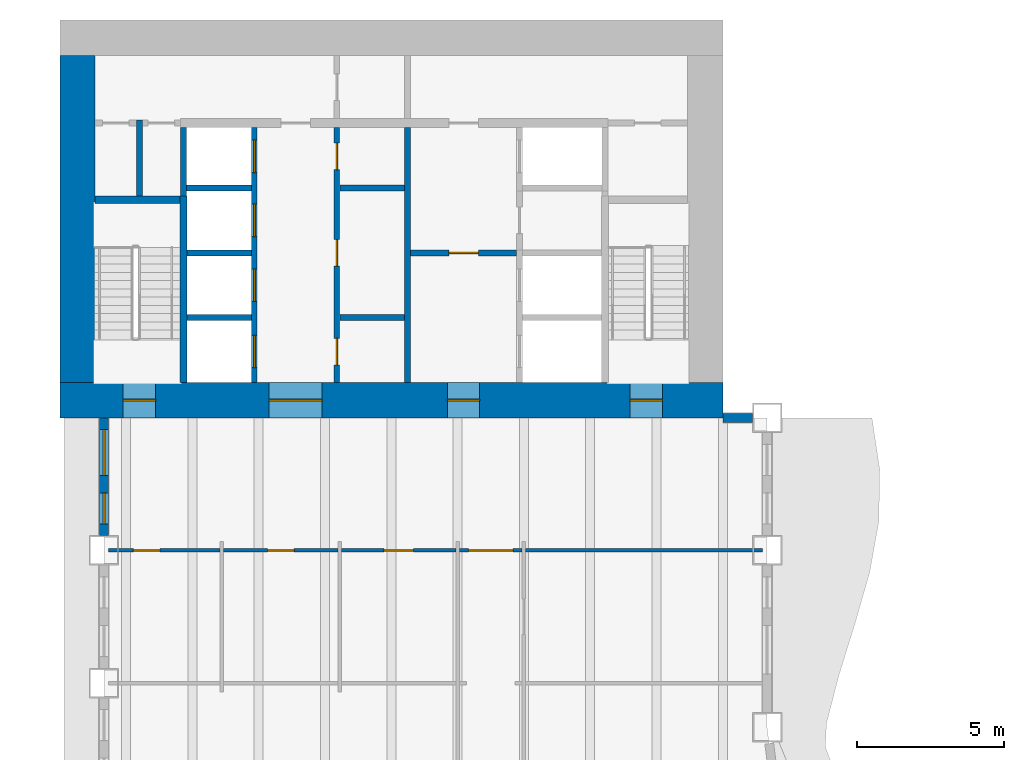
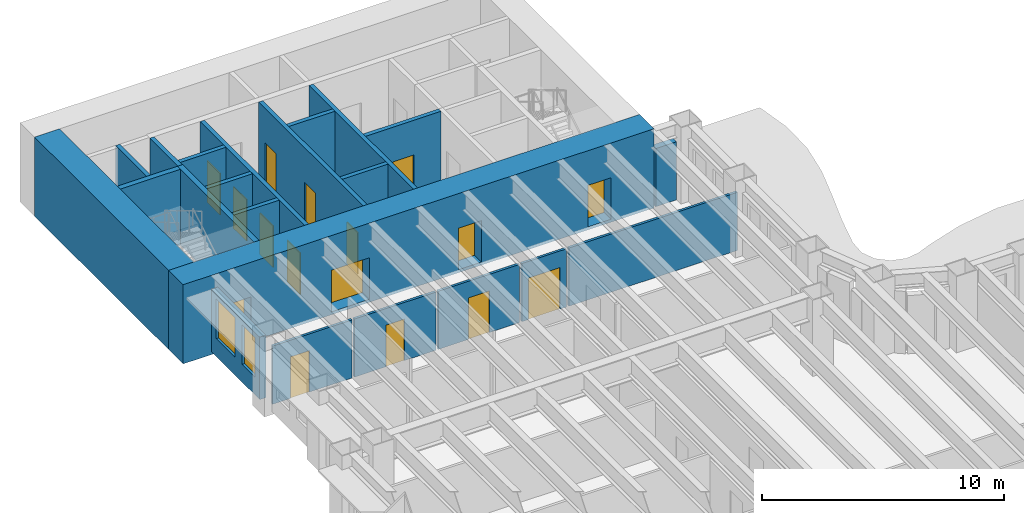
# One storey, part 8 of 16: 22 walls, 16 doors, 2 windows, 18 openings.
"""IFC4 building model written with IfcOpenShell, lengths in metres."""

from ifc_helpers import new_model, si_unit, direction, frame, frame_2d, origin, place, context, subcontext, project, spatial, rectangle, extrude, material, layer, layer_set, type_object, element, fill, save


model = new_model("IFC4")

# Units and contexts
model_context = context("Model", 3, precision=1e-05, world=origin(), true_north=direction((0.0, 1.0)))
body_context = subcontext(model_context, "Body", "Model", "MODEL_VIEW")
ifc_project = project(units=[si_unit("LENGTHUNIT", "METRE"), si_unit("AREAUNIT", "SQUARE_METRE"), si_unit("VOLUMEUNIT", "CUBIC_METRE"), si_unit("PLANEANGLEUNIT", "RADIAN"), si_unit("MASSUNIT", "GRAM", prefix="KILO")], contexts=[model_context])

# Site, building, storey
site_placement = place(None, origin())
site = spatial("IfcSite", under=ifc_project, at=site_placement, CompositionType="ELEMENT")
building_placement = place(site_placement, origin())
building = spatial("IfcBuilding", under=site, at=building_placement, Name="Sennacour Bend Tower", CompositionType="ELEMENT")
storey_placement = place(building_placement, frame((0.0, 0.0, 95.0)))
storey = spatial("IfcBuildingStorey", under=building, at=storey_placement, Name="L21", CompositionType="ELEMENT", Elevation=95.0)

# Wall, openings, doors
ifc_material_1 = material(Name="Concrete C80/95", Category="concrete")
ifc_layer_1 = layer(ifc_material_1, 1.199951171875, Name="Concrete C80/95", Category="concrete")
ifc_layer_set_1 = layer_set([ifc_layer_1], Name="Concrete C80/95")
wall_type_1 = type_object("IfcWallType", Name="Core wall 1200 C80/95", PredefinedType="SHEAR", material=ifc_layer_set_1)
wall_1_placement = place(storey_placement, frame((0.0, 36.60009765625, -0.14990234375), z_axis=(0.0, 0.0, 1.0), x_axis=(1.0, 0.0, 0.0)))
wall_1 = element("IfcWall", 1, at=wall_1_placement, inside=storey, type_object=wall_type_1, Name="Core B wall L21 S", PredefinedType="SHEAR", context=body_context, shape_type="SweptSolid", body=[
    extrude(rectangle(XDim=22.5, YDim=1.199951171875, at=frame_2d((11.25, 0.0))), origin(), (0.0, 0.0, 1.0), 4.0),
])
opening_1_placement = place(wall_1_placement, frame((7.10009765625, 0.0, 0.14990234375)))
opening_1 = element("IfcOpeningElement", 2, at=opening_1_placement, cuts=wall_1, Name="Opening CD", PredefinedType="OPENING", context=body_context, shape_type="SweptSolid", body=[
    extrude(rectangle(XDim=1.800048828125, YDim=2.10009765625, at=frame_2d((0.89990234375, 1.050048828125))), frame((0.0, 0.60986328125, 0.0), z_axis=(0.0, -1.0, 0.0), x_axis=(1.0, 0.0, 0.0)), (0.0, 0.0, 1.0), 1.219970703125),
])
opening_2_placement = place(wall_1_placement, frame((13.14990234375, 0.0, 0.14990234375)))
opening_2 = element("IfcOpeningElement", 3, at=opening_2_placement, cuts=wall_1, Name="Opening FD", PredefinedType="OPENING", context=body_context, shape_type="SweptSolid", body=[
    extrude(rectangle(XDim=1.10009765625, YDim=2.10009765625, at=frame_2d((0.550048828125, 1.050048828125))), frame((0.0, 0.60986328125, 0.0), z_axis=(0.0, -1.0, 0.0), x_axis=(1.0, 0.0, 0.0)), (0.0, 0.0, 1.0), 1.219970703125),
])
opening_3_placement = place(wall_1_placement, frame((2.14990234375, 0.0, 0.14990234375)))
opening_3 = element("IfcOpeningElement", 4, at=opening_3_placement, cuts=wall_1, Name="Opening SD", PredefinedType="OPENING", context=body_context, shape_type="SweptSolid", body=[
    extrude(rectangle(XDim=1.10009765625, YDim=2.10009765625, at=frame_2d((0.550048828125, 1.050048828125))), frame((0.0, 0.60986328125, 0.0), z_axis=(0.0, -1.0, 0.0), x_axis=(1.0, 0.0, 0.0)), (0.0, 0.0, 1.0), 1.219970703125),
])
opening_4_placement = place(wall_1_placement, frame((19.35009765625, 0.0, 0.14990234375)))
opening_4 = element("IfcOpeningElement", 5, at=opening_4_placement, cuts=wall_1, Name="Opening SD", PredefinedType="OPENING", context=body_context, shape_type="SweptSolid", body=[
    extrude(rectangle(XDim=1.10009765625, YDim=2.10009765625, at=frame_2d((0.550048828125, 1.050048828125))), frame((0.0, 0.60986328125, 0.0), z_axis=(0.0, -1.0, 0.0), x_axis=(1.0, 0.0, 0.0)), (0.0, 0.0, 1.0), 1.219970703125),
])
ifc_material_2 = material(Name="Painted steel", Category="steel")
door_type_1 = type_object("IfcDoorType", Name="DR-FFL-1100", OperationType="NOTDEFINED", PredefinedType="DOOR", material=ifc_material_2)
door_1_placement = place(opening_2_placement, origin())
door_1 = element("IfcDoor", 6, at=door_1_placement, inside=storey, type_object=door_type_1, Name="Door", OperationType="SINGLE_SWING_RIGHT", OverallHeight=2.10009765625, OverallWidth=1.10009765625, PredefinedType="DOOR", context=body_context, shape_type="SweptSolid", body=[
    extrude(rectangle(XDim=1.10009765625, YDim=2.10009765625, at=frame_2d((0.550048828125, 1.050048828125))), frame((0.0, 0.02490234375, 0.0), z_axis=(0.0, -1.0, 0.0), x_axis=(1.0, 0.0, 0.0)), (0.0, 0.0, 1.0), 0.050048828125),
])
fill(opening_2, door_1)
door_type_2 = type_object("IfcDoorType", Name="DR-LOBBY-1800", OperationType="NOTDEFINED", PredefinedType="DOOR", material=ifc_material_2)
door_2_placement = place(opening_1_placement, origin())
door_2 = element("IfcDoor", 7, at=door_2_placement, inside=storey, type_object=door_type_2, Name="Door", OperationType="DOUBLE_DOOR_SINGLE_SWING", OverallHeight=2.10009765625, OverallWidth=1.800048828125, PredefinedType="DOOR", context=body_context, shape_type="SweptSolid", body=[
    extrude(rectangle(XDim=1.800048828125, YDim=2.10009765625, at=frame_2d((0.89990234375, 1.050048828125))), frame((0.0, 0.02490234375, 0.0), z_axis=(0.0, -1.0, 0.0), x_axis=(1.0, 0.0, 0.0)), (0.0, 0.0, 1.0), 0.050048828125),
])
fill(opening_1, door_2)
door_type_3 = type_object("IfcDoorType", Name="DR-STAIR-1100", OperationType="NOTDEFINED", PredefinedType="DOOR", material=ifc_material_2)
door_3_placement = place(opening_3_placement, origin())
door_3 = element("IfcDoor", 8, at=door_3_placement, inside=storey, type_object=door_type_3, Name="Door", OperationType="SINGLE_SWING_LEFT", OverallHeight=2.10009765625, OverallWidth=1.10009765625, PredefinedType="DOOR", context=body_context, shape_type="SweptSolid", body=[
    extrude(rectangle(XDim=1.10009765625, YDim=2.10009765625, at=frame_2d((0.550048828125, 1.050048828125))), frame((0.0, 0.02490234375, 0.0), z_axis=(0.0, -1.0, 0.0), x_axis=(1.0, 0.0, 0.0)), (0.0, 0.0, 1.0), 0.050048828125),
])
fill(opening_3, door_3)
door_4_placement = place(opening_4_placement, origin())
door_4 = element("IfcDoor", 9, at=door_4_placement, inside=storey, type_object=door_type_3, Name="Door", OperationType="SINGLE_SWING_RIGHT", OverallHeight=2.10009765625, OverallWidth=1.10009765625, PredefinedType="DOOR", context=body_context, shape_type="SweptSolid", body=[
    extrude(rectangle(XDim=1.10009765625, YDim=2.10009765625, at=frame_2d((0.550048828125, 1.050048828125))), frame((0.0, 0.02490234375, 0.0), z_axis=(0.0, -1.0, 0.0), x_axis=(1.0, 0.0, 0.0)), (0.0, 0.0, 1.0), 0.050048828125),
])
fill(opening_4, door_4)

# Wall
wall_2_placement = place(storey_placement, frame((0.60009765625, 37.199951171875, -0.14990234375), z_axis=(0.0, 0.0, 1.0), x_axis=(0.0, 1.0, 0.0)))
element("IfcWall", 10, at=wall_2_placement, inside=storey, type_object=wall_type_1, Name="Core B wall L21 W", PredefinedType="SHEAR", context=body_context, shape_type="SweptSolid", body=[
    extrude(rectangle(XDim=11.10009765625, YDim=1.199951171875, at=frame_2d((5.550048828125, 0.0))), origin(), (0.0, 0.0, 1.0), 4.0),
])

# Wall, opening, door
ifc_material_3 = material(Name="Plasterboard partition on steel studs", Category="steel")
ifc_layer_2 = layer(ifc_material_3, 0.1201171875, Name="Plasterboard partition on steel studs", Category="steel")
ifc_layer_set_2 = layer_set([ifc_layer_2], Name="Plasterboard partition on steel studs")
wall_type_2 = type_object("IfcWallType", Name="Partition 120", PredefinedType="PARTITIONING", material=ifc_layer_set_2)
wall_3_placement = place(storey_placement, frame((1.64990234375, 31.5, 0.0), z_axis=(0.0, 0.0, 1.0), x_axis=(1.0, 0.0, 0.0)))
wall_3 = element("IfcWall", 11, at=wall_3_placement, inside=storey, type_object=wall_type_2, Name="P-L21-W076aa", PredefinedType="PARTITIONING", context=body_context, shape_type="SweptSolid", body=[
    extrude(rectangle(XDim=3.7900390625, YDim=0.1201171875, at=frame_2d((1.89501953125, 0.0))), origin(), (0.0, 0.0, 1.0), 2.93798828125),
])
opening_5_placement = place(wall_3_placement, frame((0.85009765625, 0.0, 0.0)))
opening_5 = element("IfcOpeningElement", 12, at=opening_5_placement, cuts=wall_3, Name="Opening WD", PredefinedType="OPENING", context=body_context, shape_type="SweptSolid", body=[
    extrude(rectangle(XDim=0.89990234375, YDim=2.10009765625, at=frame_2d((0.449951171875, 1.050048828125))), frame((0.0, 0.070068359375, 0.0), z_axis=(0.0, -1.0, 0.0), x_axis=(1.0, 0.0, 0.0)), (0.0, 0.0, 1.0), 0.14013671875),
])
ifc_material_4 = material(Name="Timber", Category="wood")
door_type_4 = type_object("IfcDoorType", Name="DR-WC-900", OperationType="NOTDEFINED", PredefinedType="DOOR", material=ifc_material_4)
door_5_placement = place(opening_5_placement, origin())
door_5 = element("IfcDoor", 13, at=door_5_placement, inside=storey, type_object=door_type_4, Name="Door", OperationType="SINGLE_SWING_LEFT", OverallHeight=2.10009765625, OverallWidth=0.89990234375, PredefinedType="DOOR", context=body_context, shape_type="SweptSolid", body=[
    extrude(rectangle(XDim=0.89990234375, YDim=2.10009765625, at=frame_2d((0.449951171875, 1.050048828125))), frame((0.0, 0.02490234375, 0.0), z_axis=(0.0, -1.0, 0.0), x_axis=(1.0, 0.0, 0.0)), (0.0, 0.0, 1.0), 0.050048828125),
])
fill(opening_5, door_5)

wall_4_placement = place(storey_placement, frame((5.56005859375, 31.5, 0.0), z_axis=(0.0, 0.0, 1.0), x_axis=(1.0, 0.0, 0.0)))
wall_4 = element("IfcWall", 14, at=wall_4_placement, inside=storey, type_object=wall_type_2, Name="P-L21-W076ab", PredefinedType="PARTITIONING", context=body_context, shape_type="SweptSolid", body=[
    extrude(rectangle(XDim=3.8798828125, YDim=0.1201171875, at=frame_2d((1.93994140625, 0.0))), origin(), (0.0, 0.0, 1.0), 2.93798828125),
])
opening_6_placement = place(wall_4_placement, frame((1.489990234375, 0.0, 0.0)))
opening_6 = element("IfcOpeningElement", 15, at=opening_6_placement, cuts=wall_4, Name="Opening WD", PredefinedType="OPENING", context=body_context, shape_type="SweptSolid", body=[
    extrude(rectangle(XDim=0.89990234375, YDim=2.10009765625, at=frame_2d((0.449951171875, 1.050048828125))), frame((0.0, 0.070068359375, 0.0), z_axis=(0.0, -1.0, 0.0), x_axis=(1.0, 0.0, 0.0)), (0.0, 0.0, 1.0), 0.14013671875),
])
door_6_placement = place(opening_6_placement, origin())
door_6 = element("IfcDoor", 16, at=door_6_placement, inside=storey, type_object=door_type_4, Name="Door", OperationType="SINGLE_SWING_LEFT", OverallHeight=2.10009765625, OverallWidth=0.89990234375, PredefinedType="DOOR", context=body_context, shape_type="SweptSolid", body=[
    extrude(rectangle(XDim=0.89990234375, YDim=2.10009765625, at=frame_2d((0.449951171875, 1.050048828125))), frame((0.0, 0.02490234375, 0.0), z_axis=(0.0, -1.0, 0.0), x_axis=(1.0, 0.0, 0.0)), (0.0, 0.0, 1.0), 0.050048828125),
])
fill(opening_6, door_6)

wall_5_placement = place(storey_placement, frame((9.56005859375, 31.5, 0.0), z_axis=(0.0, 0.0, 1.0), x_axis=(1.0, 0.0, 0.0)))
wall_5 = element("IfcWall", 17, at=wall_5_placement, inside=storey, type_object=wall_type_2, Name="P-L21-W076ac", PredefinedType="PARTITIONING", context=body_context, shape_type="SweptSolid", body=[
    extrude(rectangle(XDim=3.8798828125, YDim=0.1201171875, at=frame_2d((1.93994140625, 0.0))), origin(), (0.0, 0.0, 1.0), 2.93798828125),
])
opening_7_placement = place(wall_5_placement, frame((1.43994140625, 0.0, 0.0)))
opening_7 = element("IfcOpeningElement", 18, at=opening_7_placement, cuts=wall_5, Name="Opening AD", PredefinedType="OPENING", context=body_context, shape_type="SweptSolid", body=[
    extrude(rectangle(XDim=1.0, YDim=2.10009765625, at=frame_2d((0.5, 1.050048828125))), frame((0.0, 0.070068359375, 0.0), z_axis=(0.0, -1.0, 0.0), x_axis=(1.0, 0.0, 0.0)), (0.0, 0.0, 1.0), 0.14013671875),
])
door_type_5 = type_object("IfcDoorType", Name="DR-ACC-WC-1000", OperationType="NOTDEFINED", PredefinedType="DOOR", material=ifc_material_4)
door_7_placement = place(opening_7_placement, origin())
door_7 = element("IfcDoor", 19, at=door_7_placement, inside=storey, type_object=door_type_5, Name="Door", OperationType="SINGLE_SWING_LEFT", OverallHeight=2.10009765625, OverallWidth=1.0, PredefinedType="DOOR", context=body_context, shape_type="SweptSolid", body=[
    extrude(rectangle(XDim=1.0, YDim=2.10009765625, at=frame_2d((0.5, 1.050048828125))), frame((0.0, 0.02490234375, 0.0), z_axis=(0.0, -1.0, 0.0), x_axis=(1.0, 0.0, 0.0)), (0.0, 0.0, 1.0), 0.050048828125),
])
fill(opening_7, door_7)

# Wall
wall_6_placement = place(storey_placement, frame((15.81005859375, 31.5, 0.0), z_axis=(0.0, 0.0, 1.0), x_axis=(1.0, 0.0, 0.0)))
element("IfcWall", 20, at=wall_6_placement, inside=storey, type_object=wall_type_2, Name="P-L21-W076ae", PredefinedType="PARTITIONING", context=body_context, shape_type="SweptSolid", body=[
    extrude(rectangle(XDim=8.0400390625, YDim=0.1201171875, at=frame_2d((4.02001953125, 0.0))), origin(), (0.0, 0.0, 1.0), 2.93798828125),
])

# Wall, opening, door
ifc_layer_3 = layer(ifc_material_3, 0.1201171875, Name="Plasterboard partition on steel studs", Category="steel")
ifc_layer_set_3 = layer_set([ifc_layer_3], Name="Plasterboard partition on steel studs")
wall_type_3 = type_object("IfcWallType", Name="Partition 120 EI 30", PredefinedType="PARTITIONING", material=ifc_layer_set_3)
wall_7_placement = place(storey_placement, frame((13.56005859375, 31.5, 0.0), z_axis=(0.0, 0.0, 1.0), x_axis=(1.0, 0.0, 0.0)))
wall_7 = element("IfcWall", 21, at=wall_7_placement, inside=storey, type_object=wall_type_3, Name="P-L21-W076ad", PredefinedType="PARTITIONING", context=body_context, shape_type="SweptSolid", body=[
    extrude(rectangle(XDim=2.1298828125, YDim=0.1201171875, at=frame_2d((1.06494140625, 0.0))), origin(), (0.0, 0.0, 1.0), 2.93798828125),
])
opening_8_placement = place(wall_7_placement, frame((0.31494140625, 0.0, 0.0)))
opening_8 = element("IfcOpeningElement", 22, at=opening_8_placement, cuts=wall_7, Name="Opening KD", PredefinedType="OPENING", context=body_context, shape_type="SweptSolid", body=[
    extrude(rectangle(XDim=1.5, YDim=2.10009765625, at=frame_2d((0.75, 1.050048828125))), frame((0.0, 0.070068359375, 0.0), z_axis=(0.0, -1.0, 0.0), x_axis=(1.0, 0.0, 0.0)), (0.0, 0.0, 1.0), 0.14013671875),
])
door_type_6 = type_object("IfcDoorType", Name="DR-CORRIDOR-1500", OperationType="NOTDEFINED", PredefinedType="DOOR", material=ifc_material_2)
door_8_placement = place(opening_8_placement, origin())
door_8 = element("IfcDoor", 23, at=door_8_placement, inside=storey, type_object=door_type_6, Name="Door", OperationType="SINGLE_SWING_LEFT", OverallHeight=2.10009765625, OverallWidth=1.5, PredefinedType="DOOR", context=body_context, shape_type="SweptSolid", body=[
    extrude(rectangle(XDim=1.5, YDim=2.10009765625, at=frame_2d((0.75, 1.050048828125))), frame((0.0, 0.02490234375, 0.0), z_axis=(0.0, -1.0, 0.0), x_axis=(1.0, 0.0, 0.0)), (0.0, 0.0, 1.0), 0.050048828125),
])
fill(opening_8, door_8)

# Wall
ifc_material_5 = material(Name="Fire-rated plasterboard partition on steel studs", Category="steel")
ifc_layer_4 = layer(ifc_material_5, 0.199951171875, Name="Fire-rated plasterboard partition on steel studs", Category="steel")
ifc_layer_set_4 = layer_set([ifc_layer_4], Name="Fire-rated plasterboard partition on steel studs")
wall_type_4 = type_object("IfcWallType", Name="Rated partition 200", PredefinedType="PARTITIONING", material=ifc_layer_set_4)
wall_8_placement = place(storey_placement, frame((2.699951171875, 43.52490234375, 0.0), z_axis=(0.0, 0.0, 1.0), x_axis=(0.0, 1.0, 0.0)))
element("IfcWall", 24, at=wall_8_placement, inside=storey, type_object=wall_type_4, Name="P-L21-W004", PredefinedType="PARTITIONING", context=body_context, shape_type="SweptSolid", body=[
    extrude(rectangle(XDim=2.5751953125, YDim=0.199951171875, at=frame_2d((1.28759765625, 0.0))), origin(), (0.0, 0.0, 1.0), 3.85009765625),
])

# Wall, openings, doors
wall_9_placement = place(storey_placement, frame((9.39990234375, 37.199951171875, 0.0), z_axis=(0.0, 0.0, 1.0), x_axis=(0.0, 1.0, 0.0)))
wall_9 = element("IfcWall", 25, at=wall_9_placement, inside=storey, type_object=wall_type_4, Name="P-L21-W010a", PredefinedType="PARTITIONING", context=body_context, shape_type="SweptSolid", body=[
    extrude(rectangle(XDim=8.650146484375, YDim=0.199951171875, at=frame_2d((4.3251953125, 0.0))), origin(), (0.0, 0.0, 1.0), 3.85009765625),
])
opening_9_placement = place(wall_9_placement, frame((0.60009765625, 0.0, 0.0)))
opening_9 = element("IfcOpeningElement", 26, at=opening_9_placement, cuts=wall_9, Name="Opening SV", PredefinedType="OPENING", context=body_context, shape_type="SweptSolid", body=[
    extrude(rectangle(XDim=0.89990234375, YDim=2.10009765625, at=frame_2d((0.449951171875, 1.050048828125))), frame((0.0, 0.10986328125, 0.0), z_axis=(0.0, -1.0, 0.0), x_axis=(1.0, 0.0, 0.0)), (0.0, 0.0, 1.0), 0.219970703125),
])
opening_10_placement = place(wall_9_placement, frame((3.949951171875, 0.0, 0.0)))
opening_10 = element("IfcOpeningElement", 27, at=opening_10_placement, cuts=wall_9, Name="Opening WD", PredefinedType="OPENING", context=body_context, shape_type="SweptSolid", body=[
    extrude(rectangle(XDim=0.89990234375, YDim=2.10009765625, at=frame_2d((0.449951171875, 1.050048828125))), frame((0.0, 0.10986328125, 0.0), z_axis=(0.0, -1.0, 0.0), x_axis=(1.0, 0.0, 0.0)), (0.0, 0.0, 1.0), 0.219970703125),
])
opening_11_placement = place(wall_9_placement, frame((7.22509765625, 0.0, 0.0)))
opening_11 = element("IfcOpeningElement", 28, at=opening_11_placement, cuts=wall_9, Name="Opening SV", PredefinedType="OPENING", context=body_context, shape_type="SweptSolid", body=[
    extrude(rectangle(XDim=0.89990234375, YDim=2.10009765625, at=frame_2d((0.449951171875, 1.050048828125))), frame((0.0, 0.10986328125, 0.0), z_axis=(0.0, -1.0, 0.0), x_axis=(1.0, 0.0, 0.0)), (0.0, 0.0, 1.0), 0.219970703125),
])
door_type_7 = type_object("IfcDoorType", Name="DR-SERVICE-900", OperationType="NOTDEFINED", PredefinedType="DOOR", material=ifc_material_2)
door_9_placement = place(opening_9_placement, origin())
door_9 = element("IfcDoor", 29, at=door_9_placement, inside=storey, type_object=door_type_7, Name="Door", OperationType="SINGLE_SWING_LEFT", OverallHeight=2.10009765625, OverallWidth=0.89990234375, PredefinedType="DOOR", context=body_context, shape_type="SweptSolid", body=[
    extrude(rectangle(XDim=0.89990234375, YDim=2.10009765625, at=frame_2d((0.449951171875, 1.050048828125))), frame((0.0, 0.02490234375, 0.0), z_axis=(0.0, -1.0, 0.0), x_axis=(1.0, 0.0, 0.0)), (0.0, 0.0, 1.0), 0.050048828125),
])
fill(opening_9, door_9)
door_10_placement = place(opening_11_placement, origin())
door_10 = element("IfcDoor", 30, at=door_10_placement, inside=storey, type_object=door_type_7, Name="Door", OperationType="SINGLE_SWING_RIGHT", OverallHeight=2.10009765625, OverallWidth=0.89990234375, PredefinedType="DOOR", context=body_context, shape_type="SweptSolid", body=[
    extrude(rectangle(XDim=0.89990234375, YDim=2.10009765625, at=frame_2d((0.449951171875, 1.050048828125))), frame((0.0, 0.02490234375, 0.0), z_axis=(0.0, -1.0, 0.0), x_axis=(1.0, 0.0, 0.0)), (0.0, 0.0, 1.0), 0.050048828125),
])
fill(opening_11, door_10)
door_11_placement = place(opening_10_placement, origin())
door_11 = element("IfcDoor", 31, at=door_11_placement, inside=storey, type_object=door_type_4, Name="Door", OperationType="SINGLE_SWING_RIGHT", OverallHeight=2.10009765625, OverallWidth=0.89990234375, PredefinedType="DOOR", context=body_context, shape_type="SweptSolid", body=[
    extrude(rectangle(XDim=0.89990234375, YDim=2.10009765625, at=frame_2d((0.449951171875, 1.050048828125))), frame((0.0, 0.02490234375, 0.0), z_axis=(0.0, -1.0, 0.0), x_axis=(1.0, 0.0, 0.0)), (0.0, 0.0, 1.0), 0.050048828125),
])
fill(opening_10, door_11)

# Walls
wall_10_placement = place(storey_placement, frame((11.800048828125, 37.199951171875, 0.0), z_axis=(0.0, 0.0, 1.0), x_axis=(0.0, 1.0, 0.0)))
element("IfcWall", 32, at=wall_10_placement, inside=storey, type_object=wall_type_4, Name="P-L21-W013a", PredefinedType="PARTITIONING", context=body_context, shape_type="SweptSolid", body=[
    extrude(rectangle(XDim=8.650146484375, YDim=0.199951171875, at=frame_2d((4.3251953125, 0.0))), origin(), (0.0, 0.0, 1.0), 3.85009765625),
])
for number, where, z_axis, x_axis, name in (
    (33, (9.5, 39.39990234375, 0.0), (0.0, 0.0, 1.0), (1.0, 0.0, 0.0), "P-L21-W079"),
    (34, (9.5, 43.800048828125, 0.0), (0.0, 0.0, 1.0), (1.0, 0.0, 0.0), "P-L21-W087"),
):
    element("IfcWall", number, at=place(storey_placement, frame(where, z_axis=z_axis, x_axis=x_axis)), inside=storey, type_object=wall_type_4, Name=name, PredefinedType="PARTITIONING", context=body_context, shape_type="SweptSolid", body=[
        extrude(rectangle(XDim=2.199951171875, YDim=0.199951171875, at=frame_2d((1.10009765625, 0.0))), origin(), (0.0, 0.0, 1.0), 3.85009765625),
    ])

# Wall, opening, door
ifc_layer_5 = layer(ifc_material_5, 0.199951171875, Name="Fire-rated plasterboard partition on steel studs", Category="steel")
ifc_layer_set_5 = layer_set([ifc_layer_5], Name="Fire-rated plasterboard partition on steel studs")
wall_type_5 = type_object("IfcWallType", Name="Rated partition 200 EI 90", PredefinedType="PARTITIONING", material=ifc_layer_set_5)
wall_11_placement = place(storey_placement, frame((11.89990234375, 41.60009765625, 0.0), z_axis=(0.0, 0.0, 1.0), x_axis=(1.0, 0.0, 0.0)))
wall_11 = element("IfcWall", 35, at=wall_11_placement, inside=storey, type_object=wall_type_5, Name="P-L21-W082", PredefinedType="PARTITIONING", context=body_context, shape_type="SweptSolid", body=[
    extrude(rectangle(XDim=3.60009765625, YDim=0.199951171875, at=frame_2d((1.800048828125, 0.0))), origin(), (0.0, 0.0, 1.0), 3.85009765625),
])
opening_12_placement = place(wall_11_placement, frame((1.300048828125, 0.0, 0.0)))
opening_12 = element("IfcOpeningElement", 36, at=opening_12_placement, cuts=wall_11, Name="Opening FD2", PredefinedType="OPENING", context=body_context, shape_type="SweptSolid", body=[
    extrude(rectangle(XDim=1.0, YDim=2.10009765625, at=frame_2d((0.5, 1.050048828125))), frame((0.0, 0.10986328125, 0.0), z_axis=(0.0, -1.0, 0.0), x_axis=(1.0, 0.0, 0.0)), (0.0, 0.0, 1.0), 0.219970703125),
])
door_type_8 = type_object("IfcDoorType", Name="DR-FFL-1000", OperationType="NOTDEFINED", PredefinedType="DOOR", material=ifc_material_2)
door_12_placement = place(opening_12_placement, origin())
door_12 = element("IfcDoor", 37, at=door_12_placement, inside=storey, type_object=door_type_8, Name="Door", OperationType="SINGLE_SWING_LEFT", OverallHeight=2.10009765625, OverallWidth=1.0, PredefinedType="DOOR", context=body_context, shape_type="SweptSolid", body=[
    extrude(rectangle(XDim=1.0, YDim=2.10009765625, at=frame_2d((0.5, 1.050048828125))), frame((0.0, 0.02490234375, 0.0), z_axis=(0.0, -1.0, 0.0), x_axis=(1.0, 0.0, 0.0)), (0.0, 0.0, 1.0), 0.050048828125),
])
fill(opening_12, door_12)

# Wall
ifc_material_6 = material(Name="Warm limestone cladding", Category="masonry")
ifc_layer_6 = layer(ifc_material_6, 0.050048828125, Name="Warm limestone cladding", Category="masonry")
ifc_material_7 = material(Name="Precast concrete C40/50", Category="concrete")
ifc_layer_7 = layer(ifc_material_7, 0.25, Name="Precast concrete C40/50", Category="concrete")
ifc_layer_set_6 = layer_set([ifc_layer_6, ifc_layer_7], Name="Precast concrete C40/50 with limestone cladding")
wall_type_6 = type_object("IfcWallType", Name="STONE-CLAD PRECAST SPANDREL 300", PredefinedType="STANDARD", material=ifc_layer_set_6)
wall_12_placement = place(storey_placement, frame((23.5, 36.0, 0.0), z_axis=(0.0, 0.0, 1.0), x_axis=(-1.0, 0.0, 0.0)))
element("IfcWall", 38, at=wall_12_placement, inside=storey, type_object=wall_type_6, Name="Stone spandrel and pier wall L21 14.00", PredefinedType="STANDARD", context=body_context, shape_type="SweptSolid", body=[
    extrude(rectangle(XDim=1.0, YDim=0.300048828125, at=frame_2d((0.5, 0.0))), origin(), (0.0, 0.0, 1.0), 2.93798828125),
])

# Wall, openings, windows
wall_13_placement = place(storey_placement, frame((1.5, 36.0, 0.0), z_axis=(0.0, 0.0, 1.0), x_axis=(0.0, -1.0, 0.0)))
wall_13 = element("IfcWall", 39, at=wall_13_placement, inside=storey, type_object=wall_type_6, Name="Stone spandrel and pier wall L21 19.00", PredefinedType="STANDARD", context=body_context, shape_type="SweptSolid", body=[
    extrude(rectangle(XDim=4.0, YDim=0.300048828125, at=frame_2d((2.0, 0.0))), origin(), (0.0, 0.0, 1.0), 3.154052734375),
])
opening_13_placement = place(wall_13_placement, frame((0.39990234375, 0.0, 0.89990234375)))
opening_13 = element("IfcOpeningElement", 40, at=opening_13_placement, cuts=wall_13, Name="Opening W9", PredefinedType="OPENING", context=body_context, shape_type="SweptSolid", body=[
    extrude(rectangle(XDim=1.550048828125, YDim=2.0, at=frame_2d((0.77490234375, 1.0))), frame((0.0, 0.16015625, 0.0), z_axis=(0.0, -1.0, 0.0), x_axis=(1.0, 0.0, 0.0)), (0.0, 0.0, 1.0), 0.320068359375),
])
opening_14_placement = place(wall_13_placement, frame((2.550048828125, 0.0, 0.89990234375)))
opening_14 = element("IfcOpeningElement", 41, at=opening_14_placement, cuts=wall_13, Name="Opening W13", PredefinedType="OPENING", context=body_context, shape_type="SweptSolid", body=[
    extrude(rectangle(XDim=1.050048828125, YDim=2.0, at=frame_2d((0.52490234375, 1.0))), frame((0.0, 0.16015625, 0.0), z_axis=(0.0, -1.0, 0.0), x_axis=(1.0, 0.0, 0.0)), (0.0, 0.0, 1.0), 0.320068359375),
])
ifc_material_8 = material(Name="Clear low-emissivity glass", Category="glass")
window_type_1 = type_object("IfcWindowType", Name="WIN-RIBBON-1050x2000", PartitioningType="SINGLE_PANEL", PredefinedType="WINDOW", material=ifc_material_8)
window_1_placement = place(opening_14_placement, origin())
window_1 = element("IfcWindow", 42, at=window_1_placement, inside=storey, type_object=window_type_1, Name="Ribbon window L21 19.00.1", OverallHeight=2.0, OverallWidth=1.050048828125, PartitioningType="SINGLE_PANEL", PredefinedType="WINDOW", context=body_context, shape_type="SweptSolid", body=[
    extrude(rectangle(XDim=1.050048828125, YDim=2.0, at=frame_2d((0.52490234375, 1.0))), frame((0.0, 0.030029296875, 0.0), z_axis=(0.0, -1.0, 0.0), x_axis=(1.0, 0.0, 0.0)), (0.0, 0.0, 1.0), 0.06005859375),
])
fill(opening_14, window_1)
window_type_2 = type_object("IfcWindowType", Name="WIN-RIBBON-1550x2000", PartitioningType="SINGLE_PANEL", PredefinedType="WINDOW", material=ifc_material_8)
window_2_placement = place(opening_13_placement, origin())
window_2 = element("IfcWindow", 43, at=window_2_placement, inside=storey, type_object=window_type_2, Name="Ribbon window L21 19.00.0", OverallHeight=2.0, OverallWidth=1.550048828125, PartitioningType="SINGLE_PANEL", PredefinedType="WINDOW", context=body_context, shape_type="SweptSolid", body=[
    extrude(rectangle(XDim=1.550048828125, YDim=2.0, at=frame_2d((0.77490234375, 1.0))), frame((0.0, 0.030029296875, 0.0), z_axis=(0.0, -1.0, 0.0), x_axis=(1.0, 0.0, 0.0)), (0.0, 0.0, 1.0), 0.06005859375),
])
fill(opening_13, window_2)

# Wall
ifc_material_9 = material(Name="Concrete C50/60", Category="concrete")
ifc_layer_8 = layer(ifc_material_9, 0.199951171875, Name="Concrete C50/60", Category="concrete")
ifc_layer_set_7 = layer_set([ifc_layer_8], Name="Concrete C50/60")
wall_type_7 = type_object("IfcWallType", Name="Shaft wall 200", PredefinedType="SOLIDWALL", material=ifc_layer_set_7)
wall_14_placement = place(storey_placement, frame((4.199951171875, 43.52490234375, 0.0), z_axis=(0.0, 0.0, 1.0), x_axis=(0.0, 1.0, 0.0)))
element("IfcWall", 44, at=wall_14_placement, inside=storey, type_object=wall_type_7, Name="P-L21-W006", PredefinedType="SOLIDWALL", context=body_context, shape_type="SweptSolid", body=[
    extrude(rectangle(XDim=2.3251953125, YDim=0.199951171875, at=frame_2d((1.16259765625, 0.0))), origin(), (0.0, 0.0, 1.0), 3.85009765625),
])

# Wall, openings, doors
wall_15_placement = place(storey_placement, frame((6.60009765625, 37.199951171875, 0.0), z_axis=(0.0, 0.0, 1.0), x_axis=(0.0, 1.0, 0.0)))
wall_15 = element("IfcWall", 45, at=wall_15_placement, inside=storey, type_object=wall_type_7, Name="P-L21-W008", PredefinedType="SOLIDWALL", context=body_context, shape_type="SweptSolid", body=[
    extrude(rectangle(XDim=8.650146484375, YDim=0.199951171875, at=frame_2d((4.3251953125, 0.0))), origin(), (0.0, 0.0, 1.0), 3.85009765625),
])
opening_15_placement = place(wall_15_placement, frame((0.5, 0.0, 0.011962890625)))
opening_15 = element("IfcOpeningElement", 46, at=opening_15_placement, cuts=wall_15, Name="Opening LD", PredefinedType="OPENING", context=body_context, shape_type="SweptSolid", body=[
    extrude(rectangle(XDim=1.10009765625, YDim=2.10009765625, at=frame_2d((0.550048828125, 1.050048828125))), frame((0.0, 0.10986328125, 0.0), z_axis=(0.0, -1.0, 0.0), x_axis=(1.0, 0.0, 0.0)), (0.0, 0.0, 1.0), 0.219970703125),
])
opening_16_placement = place(wall_15_placement, frame((2.75, 0.0, 0.011962890625)))
opening_16 = element("IfcOpeningElement", 47, at=opening_16_placement, cuts=wall_15, Name="Opening LD", PredefinedType="OPENING", context=body_context, shape_type="SweptSolid", body=[
    extrude(rectangle(XDim=1.10009765625, YDim=2.10009765625, at=frame_2d((0.550048828125, 1.050048828125))), frame((0.0, 0.10986328125, 0.0), z_axis=(0.0, -1.0, 0.0), x_axis=(1.0, 0.0, 0.0)), (0.0, 0.0, 1.0), 0.219970703125),
])
opening_17_placement = place(wall_15_placement, frame((4.949951171875, 0.0, 0.011962890625)))
opening_17 = element("IfcOpeningElement", 48, at=opening_17_placement, cuts=wall_15, Name="Opening LD", PredefinedType="OPENING", context=body_context, shape_type="SweptSolid", body=[
    extrude(rectangle(XDim=1.10009765625, YDim=2.10009765625, at=frame_2d((0.550048828125, 1.050048828125))), frame((0.0, 0.10986328125, 0.0), z_axis=(0.0, -1.0, 0.0), x_axis=(1.0, 0.0, 0.0)), (0.0, 0.0, 1.0), 0.219970703125),
])
opening_18_placement = place(wall_15_placement, frame((7.125, 0.0, 0.011962890625)))
opening_18 = element("IfcOpeningElement", 49, at=opening_18_placement, cuts=wall_15, Name="Opening LD", PredefinedType="OPENING", context=body_context, shape_type="SweptSolid", body=[
    extrude(rectangle(XDim=1.10009765625, YDim=2.10009765625, at=frame_2d((0.550048828125, 1.050048828125))), frame((0.0, 0.10986328125, 0.0), z_axis=(0.0, -1.0, 0.0), x_axis=(1.0, 0.0, 0.0)), (0.0, 0.0, 1.0), 0.219970703125),
])
ifc_material_10 = material(Name="Stainless steel", Category="steel")
door_type_9 = type_object("IfcDoorType", Name="DR-LANDING-1100", OperationType="NOTDEFINED", PredefinedType="DOOR", material=ifc_material_10)
door_13_placement = place(opening_15_placement, origin())
door_13 = element("IfcDoor", 50, at=door_13_placement, inside=storey, type_object=door_type_9, Name="Lift landing door LB1", OperationType="SLIDING_TO_LEFT", OverallHeight=2.10009765625, OverallWidth=1.10009765625, PredefinedType="DOOR", context=body_context, shape_type="SweptSolid", body=[
    extrude(rectangle(XDim=1.10009765625, YDim=2.10009765625, at=frame_2d((0.550048828125, 1.050048828125))), frame((0.0, 0.02490234375, 0.0), z_axis=(0.0, -1.0, 0.0), x_axis=(1.0, 0.0, 0.0)), (0.0, 0.0, 1.0), 0.050048828125),
])
fill(opening_15, door_13)
door_14_placement = place(opening_16_placement, origin())
door_14 = element("IfcDoor", 51, at=door_14_placement, inside=storey, type_object=door_type_9, Name="Lift landing door LB2", OperationType="SLIDING_TO_RIGHT", OverallHeight=2.10009765625, OverallWidth=1.10009765625, PredefinedType="DOOR", context=body_context, shape_type="SweptSolid", body=[
    extrude(rectangle(XDim=1.10009765625, YDim=2.10009765625, at=frame_2d((0.550048828125, 1.050048828125))), frame((0.0, 0.02490234375, 0.0), z_axis=(0.0, -1.0, 0.0), x_axis=(1.0, 0.0, 0.0)), (0.0, 0.0, 1.0), 0.050048828125),
])
fill(opening_16, door_14)
door_15_placement = place(opening_17_placement, origin())
door_15 = element("IfcDoor", 52, at=door_15_placement, inside=storey, type_object=door_type_9, Name="Lift landing door LB3", OperationType="SLIDING_TO_LEFT", OverallHeight=2.10009765625, OverallWidth=1.10009765625, PredefinedType="DOOR", context=body_context, shape_type="SweptSolid", body=[
    extrude(rectangle(XDim=1.10009765625, YDim=2.10009765625, at=frame_2d((0.550048828125, 1.050048828125))), frame((0.0, 0.02490234375, 0.0), z_axis=(0.0, -1.0, 0.0), x_axis=(1.0, 0.0, 0.0)), (0.0, 0.0, 1.0), 0.050048828125),
])
fill(opening_17, door_15)
door_16_placement = place(opening_18_placement, origin())
door_16 = element("IfcDoor", 53, at=door_16_placement, inside=storey, type_object=door_type_9, Name="Lift landing door LB4", OperationType="SLIDING_TO_RIGHT", OverallHeight=2.10009765625, OverallWidth=1.10009765625, PredefinedType="DOOR", context=body_context, shape_type="SweptSolid", body=[
    extrude(rectangle(XDim=1.10009765625, YDim=2.10009765625, at=frame_2d((0.550048828125, 1.050048828125))), frame((0.0, 0.02490234375, 0.0), z_axis=(0.0, -1.0, 0.0), x_axis=(1.0, 0.0, 0.0)), (0.0, 0.0, 1.0), 0.050048828125),
])
fill(opening_18, door_16)

# Walls
for number, where, z_axis, x_axis, name in (
    (54, (4.324951171875, 39.39990234375, 0.0), (0.0, 0.0, 1.0), (1.0, 0.0, 0.0), "P-L21-W078"),
    (55, (4.324951171875, 41.60009765625, 0.0), (0.0, 0.0, 1.0), (1.0, 0.0, 0.0), "P-L21-W081"),
):
    element("IfcWall", number, at=place(storey_placement, frame(where, z_axis=z_axis, x_axis=x_axis)), inside=storey, type_object=wall_type_7, Name=name, PredefinedType="SOLIDWALL", context=body_context, shape_type="SweptSolid", body=[
        extrude(rectangle(XDim=2.175048828125, YDim=0.199951171875, at=frame_2d((1.08740234375, 0.0))), origin(), (0.0, 0.0, 1.0), 3.85009765625),
    ])
wall_16_placement = place(storey_placement, frame((4.300048828125, 43.800048828125, 0.0), z_axis=(0.0, 0.0, 1.0), x_axis=(1.0, 0.0, 0.0)))
element("IfcWall", 56, at=wall_16_placement, inside=storey, type_object=wall_type_7, Name="P-L21-W086", PredefinedType="SOLIDWALL", context=body_context, shape_type="SweptSolid", body=[
    extrude(rectangle(XDim=2.199951171875, YDim=0.199951171875, at=frame_2d((1.10009765625, 0.0))), origin(), (0.0, 0.0, 1.0), 3.85009765625),
])
ifc_material_11 = material(Name="Concrete C60/75", Category="concrete")
ifc_layer_9 = layer(ifc_material_11, 0.25, Name="Concrete C60/75", Category="concrete")
ifc_layer_set_8 = layer_set([ifc_layer_9], Name="Concrete C60/75")
wall_type_8 = type_object("IfcWallType", Name="Stair wall 250", PredefinedType="SHEAR", material=ifc_layer_set_8)
wall_17_placement = place(storey_placement, frame((4.199951171875, 37.199951171875, 0.0), z_axis=(0.0, 0.0, 1.0), x_axis=(0.0, 1.0, 0.0)))
element("IfcWall", 57, at=wall_17_placement, inside=storey, type_object=wall_type_8, Name="P-L21-W005", PredefinedType="SHEAR", context=body_context, shape_type="SweptSolid", body=[
    extrude(rectangle(XDim=6.324951171875, YDim=0.25, at=frame_2d((3.16259765625, 0.0))), origin(), (0.0, 0.0, 1.0), 3.85009765625),
])
wall_18_placement = place(storey_placement, frame((1.199951171875, 43.39990234375, 0.0), z_axis=(0.0, 0.0, 1.0), x_axis=(1.0, 0.0, 0.0)))
element("IfcWall", 58, at=wall_18_placement, inside=storey, type_object=wall_type_8, Name="P-L21-W084", PredefinedType="SHEAR", context=body_context, shape_type="SweptSolid", body=[
    extrude(rectangle(XDim=2.875, YDim=0.25, at=frame_2d((1.4375, 0.0))), origin(), (0.0, 0.0, 1.0), 3.85009765625),
])

save(model, "model.ifc")
